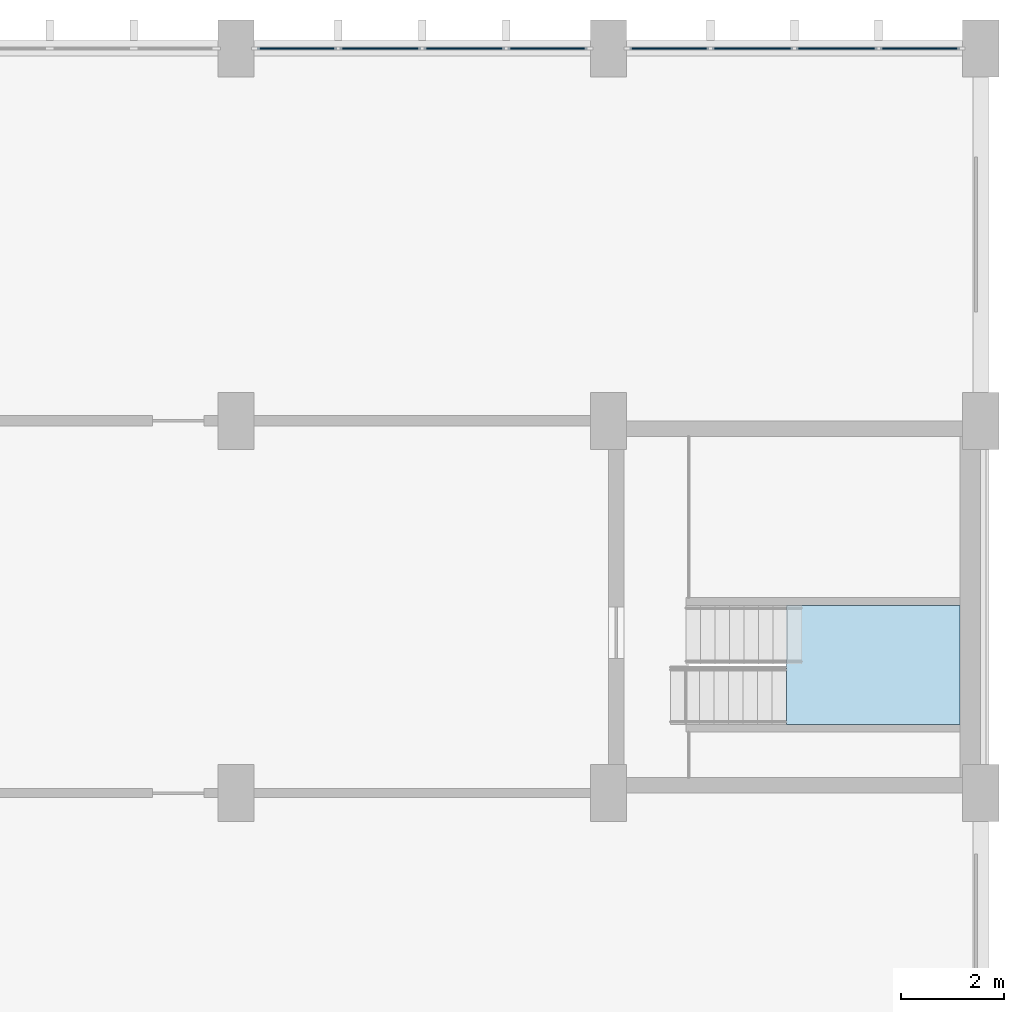
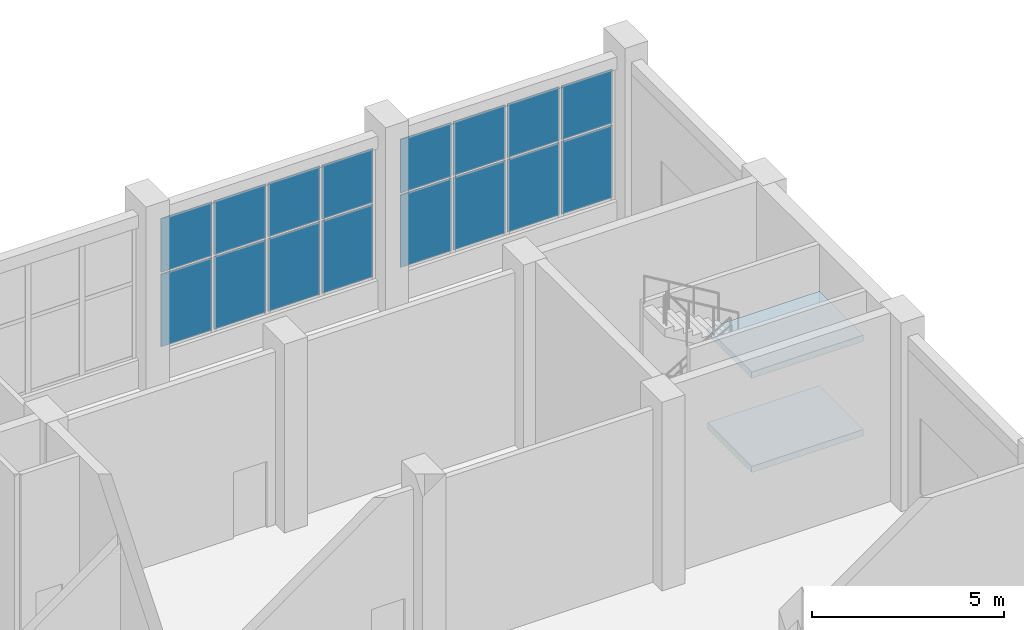
# One storey, part 25 of 44: 16 plates, 2 slabs, 3 elements without a shape of their own.
"""IFC4 building model written with IfcOpenShell, lengths in metres."""

from ifc_helpers import new_model, si_unit, direction, frame, origin, origin_2d, place, context, subcontext, project, spatial, polyline, rectangle, outline, extrude, material, layer, layer_set, type_object, element, aggregate, save


model = new_model("IFC4")

# Units and contexts
model_context = context("Model", 3, precision=1e-05, world=origin(), true_north=direction((0.0, 1.0)))
body_context = subcontext(model_context, "Body", "Model", "MODEL_VIEW")
ifc_project = project(units=[si_unit("LENGTHUNIT", "METRE"), si_unit("AREAUNIT", "SQUARE_METRE"), si_unit("VOLUMEUNIT", "CUBIC_METRE"), si_unit("PLANEANGLEUNIT", "RADIAN"), si_unit("MASSUNIT", "GRAM", prefix="KILO")], contexts=[model_context])

# Site, building, storey
site_placement = place(None, origin())
site = spatial("IfcSite", under=ifc_project, at=site_placement, CompositionType="ELEMENT")
building_placement = place(site_placement, origin())
building = spatial("IfcBuilding", under=site, at=building_placement, Name="Vermilion Court Aquatics Centre", CompositionType="ELEMENT")
storey_placement = place(building_placement, frame((0.0, 0.0, 6.0)))
storey = spatial("IfcBuildingStorey", under=building, at=storey_placement, Name="L01", CompositionType="ELEMENT", Elevation=6.0)

# Stair, slabs
ifc_material_1 = material(Name="Concrete 5000 psi", Category="concrete")
stair_type = type_object("IfcStairType", Name="North block exit stair 1130", PredefinedType="HALF_TURN_STAIR", material=ifc_material_1)
stair_placement = place(storey_placement, origin())
stair = element("IfcStair", 1, at=stair_placement, inside=storey, type_object=stair_type, Name="Exit stair ST-T2 L01", PredefinedType="HALF_TURN_STAIR")
ifc_material_2 = material(Name="Concrete 5000 psi", Category="concrete")
ifc_layer_1 = layer(ifc_material_2, 0.199951171875)
ifc_layer_set_1 = layer_set([ifc_layer_1], Name="North block stair landing 200")
slab_type = type_object("IfcSlabType", Name="North block stair landing 200", PredefinedType="LANDING", material=ifc_layer_set_1)
slab_1_placement = place(storey_placement, frame((0.0, 0.0, 1.300048828125)))
slab_1 = element("IfcSlab", 2, at=slab_1_placement, type_object=slab_type, Name="ST-T2 landing 1", PredefinedType="LANDING", context=body_context, shape_type="SweptSolid", body=[
    extrude(outline(polyline([(190.639892578125, 102.1298828125), (194.0, 102.1298828125), (194.0, 104.429931640625), (190.639892578125, 104.429931640625), (190.639892578125, 102.1298828125)])), origin(), (0.0, 0.0, 1.0), 0.199951171875),
])
slab_2_placement = place(storey_placement, frame((0.0, 0.0, 4.300048828125)))
slab_2 = element("IfcSlab", 3, at=slab_2_placement, type_object=slab_type, Name="ST-T2 landing 3", PredefinedType="LANDING", context=body_context, shape_type="SweptSolid", body=[
    extrude(outline(polyline([(190.639892578125, 102.1298828125), (194.0, 102.1298828125), (194.0, 104.429931640625), (190.639892578125, 104.429931640625), (190.639892578125, 102.1298828125)])), origin(), (0.0, 0.0, 1.0), 0.199951171875),
])
aggregate(stair, [slab_1, slab_2])

# Curtain wall, plates
ifc_material_3 = material(Name="Aluminium 6063-T5", Category="aluminium")
ifc_layer_2 = layer(ifc_material_3, 0.14990234375)
ifc_layer_set_2 = layer_set([ifc_layer_2], Name="Podium curtain wall bay, 1800 module")
curtain_wall_type = type_object("IfcCurtainWallType", Name="Podium curtain wall bay, 1800 module", PredefinedType="NOTDEFINED", material=ifc_layer_set_2)
curtain_wall_1_placement = place(storey_placement, origin())
curtain_wall_1 = element("IfcCurtainWall", 4, at=curtain_wall_1_placement, inside=storey, type_object=curtain_wall_type, Name="Curtain wall L01", PredefinedType="NOTDEFINED")
ifc_material_4 = material(Name="Glazing", Category="glass")
ifc_layer_3 = layer(ifc_material_4, 0.028076171875)
ifc_layer_set_3 = layer_set([ifc_layer_3], Name="Podium curtain wall glass panel 28")
plate_type = type_object("IfcPlateType", Name="Podium curtain wall glass panel 28", PredefinedType="CURTAIN_PANEL", material=ifc_layer_set_3)
plate_1_placement = place(storey_placement, frame((181.177490234375, 115.199951171875, 0.9599609375), z_axis=(0.0, 0.0, 1.0), x_axis=(1.0, 0.0, 0.0)))
plate_1 = element("IfcPlate", 5, at=plate_1_placement, type_object=plate_type, Name="PG2 panel 1.1", PredefinedType="CURTAIN_PANEL", context=body_context, shape_type="SweptSolid", body=[
    extrude(rectangle(XDim=1.534912109375, YDim=0.028076171875, at=origin_2d()), origin(), (0.0, 0.0, 1.0), 2.31005859375),
])
plate_2_placement = place(storey_placement, frame((181.177490234375, 115.199951171875, 3.330078125), z_axis=(0.0, 0.0, 1.0), x_axis=(1.0, 0.0, 0.0)))
plate_2 = element("IfcPlate", 6, at=plate_2_placement, type_object=plate_type, Name="PG2 panel 1.2", PredefinedType="CURTAIN_PANEL", context=body_context, shape_type="SweptSolid", body=[
    extrude(rectangle(XDim=1.534912109375, YDim=0.028076171875, at=origin_2d()), origin(), (0.0, 0.0, 1.0), 1.7099609375),
])
plate_3_placement = place(storey_placement, frame((182.78759765625, 115.199951171875, 0.9599609375), z_axis=(0.0, 0.0, 1.0), x_axis=(1.0, 0.0, 0.0)))
plate_3 = element("IfcPlate", 7, at=plate_3_placement, type_object=plate_type, Name="PG2 panel 2.1", PredefinedType="CURTAIN_PANEL", context=body_context, shape_type="SweptSolid", body=[
    extrude(rectangle(XDim=1.56494140625, YDim=0.028076171875, at=origin_2d()), origin(), (0.0, 0.0, 1.0), 2.31005859375),
])
plate_4_placement = place(storey_placement, frame((182.78759765625, 115.199951171875, 3.330078125), z_axis=(0.0, 0.0, 1.0), x_axis=(1.0, 0.0, 0.0)))
plate_4 = element("IfcPlate", 8, at=plate_4_placement, type_object=plate_type, Name="PG2 panel 2.2", PredefinedType="CURTAIN_PANEL", context=body_context, shape_type="SweptSolid", body=[
    extrude(rectangle(XDim=1.56494140625, YDim=0.028076171875, at=origin_2d()), origin(), (0.0, 0.0, 1.0), 1.7099609375),
])
plate_5_placement = place(storey_placement, frame((184.41259765625, 115.199951171875, 0.9599609375), z_axis=(0.0, 0.0, 1.0), x_axis=(1.0, 0.0, 0.0)))
plate_5 = element("IfcPlate", 9, at=plate_5_placement, type_object=plate_type, Name="PG2 panel 3.1", PredefinedType="CURTAIN_PANEL", context=body_context, shape_type="SweptSolid", body=[
    extrude(rectangle(XDim=1.56494140625, YDim=0.028076171875, at=origin_2d()), origin(), (0.0, 0.0, 1.0), 2.31005859375),
])
plate_6_placement = place(storey_placement, frame((184.41259765625, 115.199951171875, 3.330078125), z_axis=(0.0, 0.0, 1.0), x_axis=(1.0, 0.0, 0.0)))
plate_6 = element("IfcPlate", 10, at=plate_6_placement, type_object=plate_type, Name="PG2 panel 3.2", PredefinedType="CURTAIN_PANEL", context=body_context, shape_type="SweptSolid", body=[
    extrude(rectangle(XDim=1.56494140625, YDim=0.028076171875, at=origin_2d()), origin(), (0.0, 0.0, 1.0), 1.7099609375),
])
plate_7_placement = place(storey_placement, frame((186.0224609375, 115.199951171875, 0.9599609375), z_axis=(0.0, 0.0, 1.0), x_axis=(1.0, 0.0, 0.0)))
plate_7 = element("IfcPlate", 11, at=plate_7_placement, type_object=plate_type, Name="PG2 panel 4.1", PredefinedType="CURTAIN_PANEL", context=body_context, shape_type="SweptSolid", body=[
    extrude(rectangle(XDim=1.534912109375, YDim=0.028076171875, at=origin_2d()), origin(), (0.0, 0.0, 1.0), 2.31005859375),
])
plate_8_placement = place(storey_placement, frame((186.0224609375, 115.199951171875, 3.330078125), z_axis=(0.0, 0.0, 1.0), x_axis=(1.0, 0.0, 0.0)))
plate_8 = element("IfcPlate", 12, at=plate_8_placement, type_object=plate_type, Name="PG2 panel 4.2", PredefinedType="CURTAIN_PANEL", context=body_context, shape_type="SweptSolid", body=[
    extrude(rectangle(XDim=1.534912109375, YDim=0.028076171875, at=origin_2d()), origin(), (0.0, 0.0, 1.0), 1.7099609375),
])
aggregate(curtain_wall_1, [plate_1, plate_2, plate_3, plate_4, plate_5, plate_6, plate_7, plate_8])

curtain_wall_2_placement = place(storey_placement, origin())
curtain_wall_2 = element("IfcCurtainWall", 13, at=curtain_wall_2_placement, inside=storey, type_object=curtain_wall_type, Name="Curtain wall L01", PredefinedType="NOTDEFINED")
plate_9_placement = place(storey_placement, frame((188.37744140625, 115.199951171875, 0.9599609375), z_axis=(0.0, 0.0, 1.0), x_axis=(1.0, 0.0, 0.0)))
plate_9 = element("IfcPlate", 14, at=plate_9_placement, type_object=plate_type, Name="PG2 panel 1.1", PredefinedType="CURTAIN_PANEL", context=body_context, shape_type="SweptSolid", body=[
    extrude(rectangle(XDim=1.534912109375, YDim=0.028076171875, at=origin_2d()), origin(), (0.0, 0.0, 1.0), 2.31005859375),
])
plate_10_placement = place(storey_placement, frame((188.37744140625, 115.199951171875, 3.330078125), z_axis=(0.0, 0.0, 1.0), x_axis=(1.0, 0.0, 0.0)))
plate_10 = element("IfcPlate", 15, at=plate_10_placement, type_object=plate_type, Name="PG2 panel 1.2", PredefinedType="CURTAIN_PANEL", context=body_context, shape_type="SweptSolid", body=[
    extrude(rectangle(XDim=1.534912109375, YDim=0.028076171875, at=origin_2d()), origin(), (0.0, 0.0, 1.0), 1.7099609375),
])
plate_11_placement = place(storey_placement, frame((189.987548828125, 115.199951171875, 0.9599609375), z_axis=(0.0, 0.0, 1.0), x_axis=(1.0, 0.0, 0.0)))
plate_11 = element("IfcPlate", 16, at=plate_11_placement, type_object=plate_type, Name="PG2 panel 2.1", PredefinedType="CURTAIN_PANEL", context=body_context, shape_type="SweptSolid", body=[
    extrude(rectangle(XDim=1.56494140625, YDim=0.028076171875, at=origin_2d()), origin(), (0.0, 0.0, 1.0), 2.31005859375),
])
plate_12_placement = place(storey_placement, frame((189.987548828125, 115.199951171875, 3.330078125), z_axis=(0.0, 0.0, 1.0), x_axis=(1.0, 0.0, 0.0)))
plate_12 = element("IfcPlate", 17, at=plate_12_placement, type_object=plate_type, Name="PG2 panel 2.2", PredefinedType="CURTAIN_PANEL", context=body_context, shape_type="SweptSolid", body=[
    extrude(rectangle(XDim=1.56494140625, YDim=0.028076171875, at=origin_2d()), origin(), (0.0, 0.0, 1.0), 1.7099609375),
])
plate_13_placement = place(storey_placement, frame((191.612548828125, 115.199951171875, 0.9599609375), z_axis=(0.0, 0.0, 1.0), x_axis=(1.0, 0.0, 0.0)))
plate_13 = element("IfcPlate", 18, at=plate_13_placement, type_object=plate_type, Name="PG2 panel 3.1", PredefinedType="CURTAIN_PANEL", context=body_context, shape_type="SweptSolid", body=[
    extrude(rectangle(XDim=1.56494140625, YDim=0.028076171875, at=origin_2d()), origin(), (0.0, 0.0, 1.0), 2.31005859375),
])
plate_14_placement = place(storey_placement, frame((191.612548828125, 115.199951171875, 3.330078125), z_axis=(0.0, 0.0, 1.0), x_axis=(1.0, 0.0, 0.0)))
plate_14 = element("IfcPlate", 19, at=plate_14_placement, type_object=plate_type, Name="PG2 panel 3.2", PredefinedType="CURTAIN_PANEL", context=body_context, shape_type="SweptSolid", body=[
    extrude(rectangle(XDim=1.56494140625, YDim=0.028076171875, at=origin_2d()), origin(), (0.0, 0.0, 1.0), 1.7099609375),
])
plate_15_placement = place(storey_placement, frame((193.222412109375, 115.199951171875, 0.9599609375), z_axis=(0.0, 0.0, 1.0), x_axis=(1.0, 0.0, 0.0)))
plate_15 = element("IfcPlate", 20, at=plate_15_placement, type_object=plate_type, Name="PG2 panel 4.1", PredefinedType="CURTAIN_PANEL", context=body_context, shape_type="SweptSolid", body=[
    extrude(rectangle(XDim=1.534912109375, YDim=0.028076171875, at=origin_2d()), origin(), (0.0, 0.0, 1.0), 2.31005859375),
])
plate_16_placement = place(storey_placement, frame((193.222412109375, 115.199951171875, 3.330078125), z_axis=(0.0, 0.0, 1.0), x_axis=(1.0, 0.0, 0.0)))
plate_16 = element("IfcPlate", 21, at=plate_16_placement, type_object=plate_type, Name="PG2 panel 4.2", PredefinedType="CURTAIN_PANEL", context=body_context, shape_type="SweptSolid", body=[
    extrude(rectangle(XDim=1.534912109375, YDim=0.028076171875, at=origin_2d()), origin(), (0.0, 0.0, 1.0), 1.7099609375),
])
aggregate(curtain_wall_2, [plate_9, plate_10, plate_11, plate_12, plate_13, plate_14, plate_15, plate_16])

save(model, "model.ifc")
